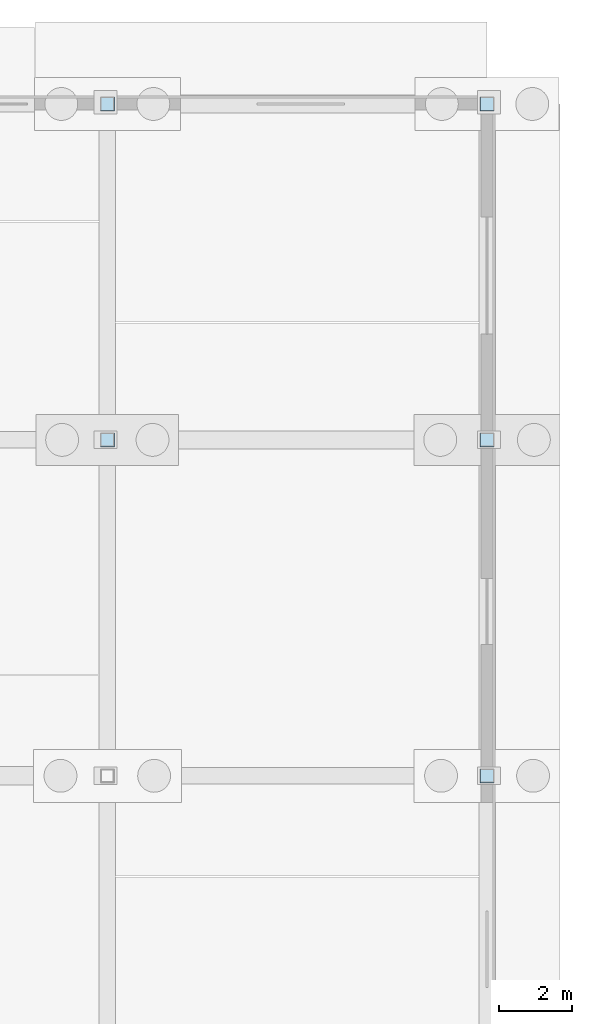
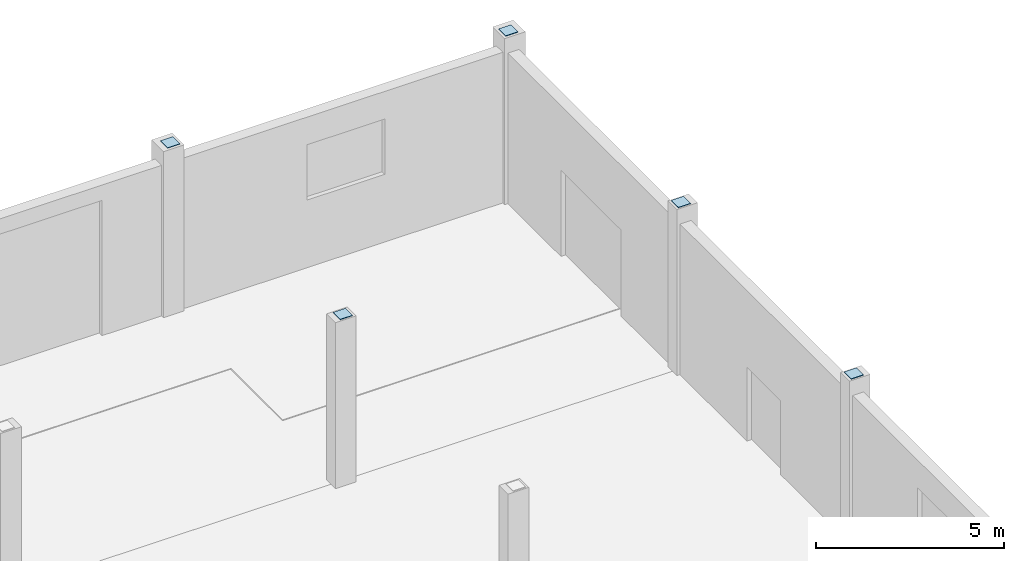
# One storey, part 50 of 83: 5 plates.
"""IFC4 building model written with IfcOpenShell, lengths in metres."""

from ifc_helpers import new_model, si_unit, direction, frame, origin, origin_2d, place, context, subcontext, project, spatial, rectangle, extrude, material, layer, layer_set, type_object, element, save


model = new_model("IFC4")

# Units and contexts
model_context = context("Model", 3, precision=1e-05, world=origin(), true_north=direction((0.0, 1.0)))
body_context = subcontext(model_context, "Body", "Model", "MODEL_VIEW")
ifc_project = project(units=[si_unit("LENGTHUNIT", "METRE"), si_unit("AREAUNIT", "SQUARE_METRE"), si_unit("VOLUMEUNIT", "CUBIC_METRE"), si_unit("PLANEANGLEUNIT", "RADIAN"), si_unit("MASSUNIT", "GRAM", prefix="KILO")], contexts=[model_context])

# Site, building, storey
site_placement = place(None, origin())
site = spatial("IfcSite", under=ifc_project, at=site_placement, CompositionType="ELEMENT")
building_placement = place(site_placement, origin())
building = spatial("IfcBuilding", under=site, at=building_placement, Name="Caurita Quay Ferry Terminal", CompositionType="ELEMENT")
storey_placement = place(building_placement, origin())
storey = spatial("IfcBuildingStorey", under=building, at=storey_placement, Name="L00", CompositionType="ELEMENT", Elevation=0.0)

# Plates
ifc_material = material(Name="Structural plate steel ASTM A572 Gr. 50", Category="steel")
ifc_layer = layer(ifc_material, 0.01806640625, Name="Structural steel connection plate 18 mm")
ifc_layer_set = layer_set([ifc_layer], Name="Structural plate steel ASTM A572 Gr. 50")
plate_type = type_object("IfcPlateType", Name="PLT-STL-18", PredefinedType="USERDEFINED", material=ifc_layer_set)
for number, where, z_axis, x_axis, name in (
    (1, (163.60009765625, 107.800048828125, 5.39892578125), (0.0, 0.0, 1.0), (1.0, 0.0, 0.0), "L00 Hollow Column End-Cap Plate V4-18-Q"),
    (2, (163.60009765625, 117.0, 5.39892578125), (0.0, 0.0, 1.0), (1.0, 0.0, 0.0), "L00 Hollow Column End-Cap Plate V4-18-R"),
    (3, (174.0, 98.60009765625, 5.39892578125), (0.0, 0.0, 1.0), (1.0, 0.0, 0.0), "L00 Hollow Column End-Cap Plate V4-19-P"),
    (4, (174.0, 107.800048828125, 5.39892578125), (0.0, 0.0, 1.0), (1.0, 0.0, 0.0), "L00 Hollow Column End-Cap Plate V4-19-Q"),
    (5, (174.0, 117.0, 5.39892578125), (0.0, 0.0, 1.0), (1.0, 0.0, 0.0), "L00 Hollow Column End-Cap Plate V4-19-R"),
):
    element("IfcPlate", number, at=place(storey_placement, frame(where, z_axis=z_axis, x_axis=x_axis)), inside=storey, type_object=plate_type, Name=name, ObjectType="GUSSET PLATE", PredefinedType="USERDEFINED", context=body_context, shape_type="SweptSolid", body=[
        extrude(rectangle(XDim=0.3798828125, YDim=0.3798828125, at=origin_2d()), origin(), (0.0, 0.0, 1.0), 0.01806640625),
    ])

save(model, "model.ifc")
